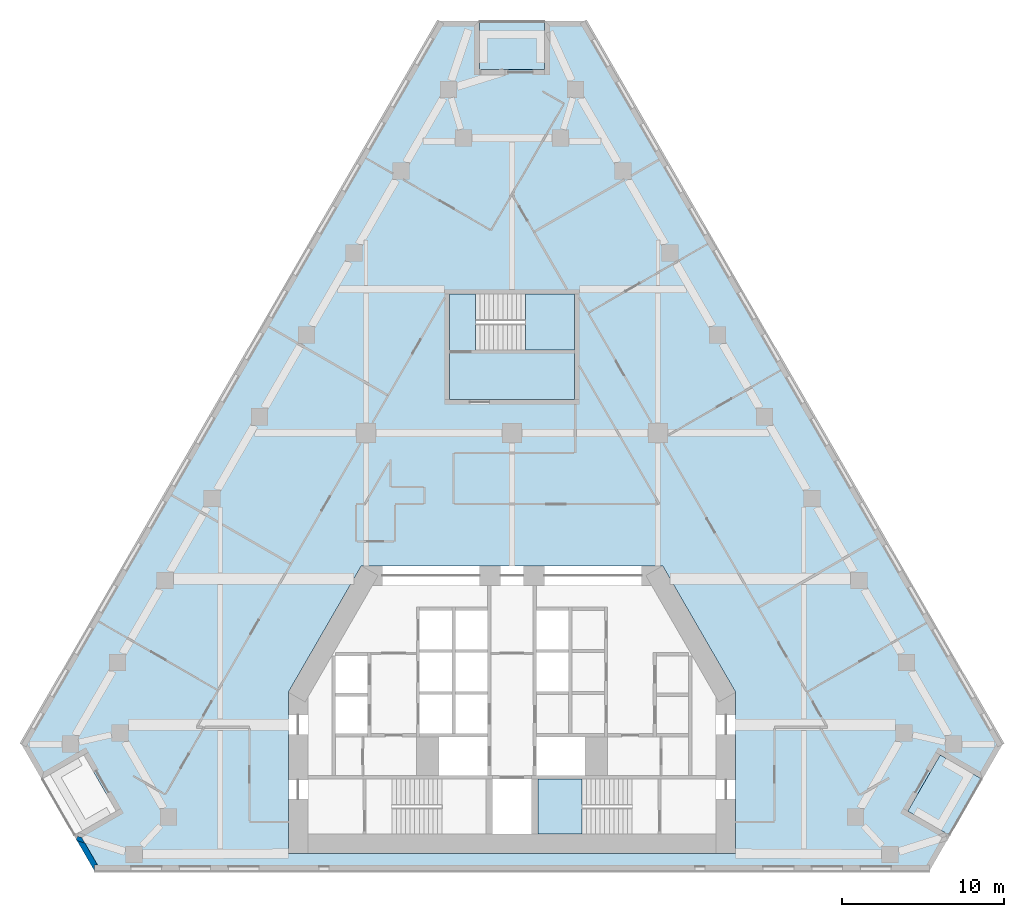
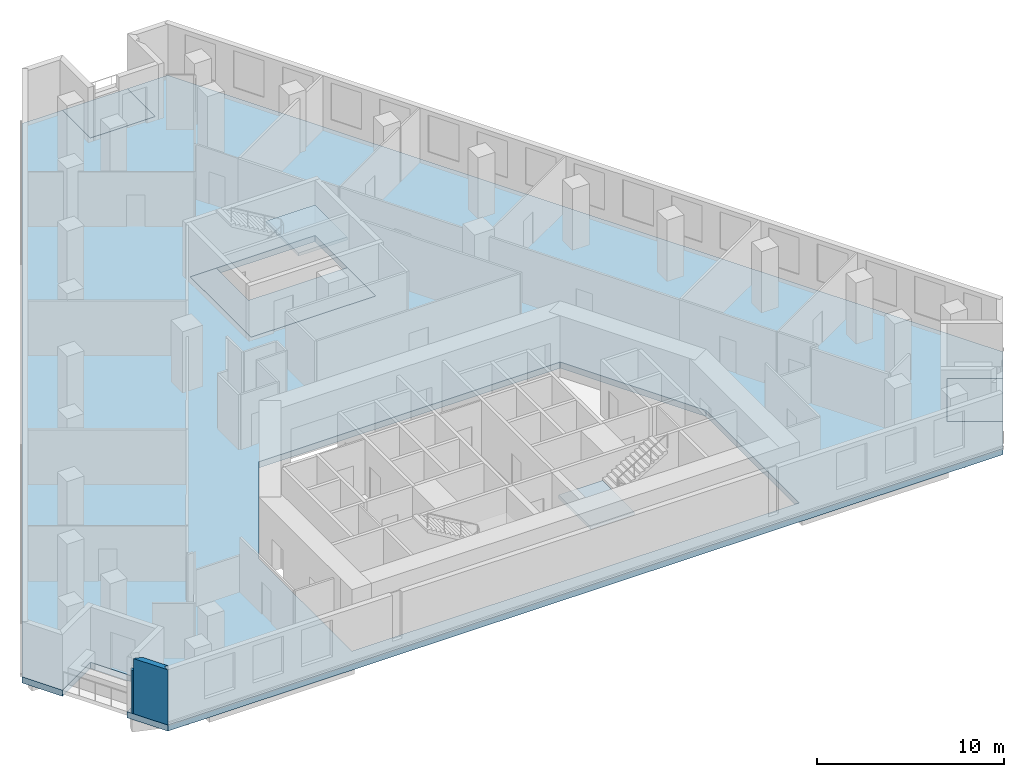
# One storey, part 2 of 10: 6 slabs, 2 walls, 2 elements without a shape of their own.
"""IFC4 building model written with IfcOpenShell, lengths in metres."""

from ifc_helpers import new_model, si_unit, direction, frame, origin, place, context, subcontext, project, spatial, polyline, outline, extrude, material, layer, layer_set, type_object, element, aggregate, save


model = new_model("IFC4")

# Units and contexts
model_context = context("Model", 3, precision=1e-05, world=origin(), true_north=direction((0.0, 1.0)))
body_context = subcontext(model_context, "Body", "Model", "MODEL_VIEW")
ifc_project = project(units=[si_unit("LENGTHUNIT", "METRE"), si_unit("AREAUNIT", "SQUARE_METRE"), si_unit("VOLUMEUNIT", "CUBIC_METRE"), si_unit("PLANEANGLEUNIT", "RADIAN"), si_unit("MASSUNIT", "GRAM", prefix="KILO")], contexts=[model_context])

# Site, building, storey
site_placement = place(None, origin())
site = spatial("IfcSite", under=ifc_project, at=site_placement, CompositionType="ELEMENT")
building_placement = place(site_placement, origin())
building = spatial("IfcBuilding", under=site, at=building_placement, Name="Fogline Exchange Tower", CompositionType="ELEMENT")
storey_placement = place(building_placement, frame((0.0, 0.0, 112.10009765625)))
storey = spatial("IfcBuildingStorey", under=building, at=storey_placement, Name="L24", CompositionType="ELEMENT", Elevation=112.10009765625)

# Slabs
ifc_material_1 = material(Name="Concrete C40", Category="concrete")
ifc_layer_1 = layer(ifc_material_1, 0.25)
ifc_layer_set_1 = layer_set([ifc_layer_1], Name="DK1")
slab_type_1 = type_object("IfcSlabType", Name="DK1", PredefinedType="FLOOR", material=ifc_layer_set_1)
slab_1_placement = place(storey_placement, frame((0.0, 0.0, -0.25)))
element("IfcSlab", 1, at=slab_1_placement, inside=storey, type_object=slab_type_1, Name="Balcony L24 SE", PredefinedType="FLOOR", context=body_context, shape_type="SweptSolid", body=[
    extrude(outline(polyline([(27.015625, 2.1650390625), (29.015625, 5.629150390625), (26.41748046875, 7.129150390625), (24.41748046875, 3.6650390625), (27.015625, 2.1650390625)])), origin(), (0.0, 0.0, 1.0), 0.25),
])
slab_2_placement = place(storey_placement, frame((0.0, 0.0, -0.25)))
element("IfcSlab", 2, at=slab_2_placement, inside=storey, type_object=slab_type_1, Name="Balcony L24 N", PredefinedType="FLOOR", context=body_context, shape_type="SweptSolid", body=[
    extrude(outline(polyline([(2.0, 52.421630859375), (-2.0, 52.421630859375), (-2.0, 49.421630859375), (2.0, 49.421630859375), (2.0, 52.421630859375)])), origin(), (0.0, 0.0, 1.0), 0.25),
])
ifc_layer_2 = layer(ifc_material_1, 0.39990234375)
ifc_layer_set_2 = layer_set([ifc_layer_2], Name="S03")
slab_type_2 = type_object("IfcSlabType", Name="S03", PredefinedType="FLOOR", material=ifc_layer_set_2)
slab_3_placement = place(storey_placement, frame((0.0, 0.0, -0.400146484375)))
element("IfcSlab", 3, at=slab_3_placement, inside=storey, type_object=slab_type_2, Name="SLAB L24", PredefinedType="FLOOR", context=body_context, shape_type="SweptSolid", body=[
    extrude(outline(polyline([(-2.0, 52.421630859375), (-4.5, 52.421630859375), (-30.265625, 7.794189453125), (-29.015625, 5.629150390625), (-26.41748046875, 7.129150390625), (-24.41748046875, 3.6650390625), (-27.015625, 2.1650390625), (-25.765625, 0.0), (25.765625, 0.0), (27.015625, 2.1650390625), (24.41748046875, 3.6650390625), (26.41748046875, 7.129150390625), (29.015625, 5.629150390625), (30.265625, 7.794189453125), (4.5, 52.421630859375), (2.0, 52.421630859375), (2.0, 49.421630859375), (-2.0, 49.421630859375), (-2.0, 52.421630859375)]), holes=[polyline([(13.800048828125, 10.9990234375), (13.800048828125, 1.050048828125), (-13.800048828125, 1.050048828125), (-13.800048828125, 10.9990234375), (-9.296142578125, 18.800048828125), (9.296142578125, 18.800048828125), (13.800048828125, 10.9990234375)]), polyline([(3.85009765625, 35.556884765625), (3.85009765625, 29.056884765625), (-3.85009765625, 29.056884765625), (-3.85009765625, 35.556884765625), (3.85009765625, 35.556884765625)])]), origin(), (0.0, 0.0, 1.0), 0.400146484375),
])
slab_4_placement = place(storey_placement, frame((0.0, 0.0, -0.400146484375)))
element("IfcSlab", 4, at=slab_4_placement, inside=storey, type_object=slab_type_2, Name="Stair enclosure floor slab", PredefinedType="FLOOR", context=body_context, shape_type="SweptSolid", body=[
    extrude(outline(polyline([(3.85009765625, 29.056884765625), (-3.85009765625, 29.056884765625), (-3.85009765625, 35.556884765625), (-2.239990234375, 35.556884765625), (-2.239990234375, 32.10693359375), (3.85009765625, 32.10693359375), (3.85009765625, 29.056884765625)])), origin(), (0.0, 0.0, 1.0), 0.400146484375),
])

# Stair, slab
stair_type = type_object("IfcStairType", Name="STR24-1667", PredefinedType="HALF_TURN_STAIR", material=ifc_material_1)
stair_1_placement = place(storey_placement, origin())
stair_1 = element("IfcStair", 5, at=stair_1_placement, inside=storey, type_object=stair_type, Name="Stair ST2", PredefinedType="HALF_TURN_STAIR")
ifc_layer_3 = layer(ifc_material_1, 0.199951171875)
ifc_layer_set_3 = layer_set([ifc_layer_3], Name="SL200")
slab_type_3 = type_object("IfcSlabType", Name="SL200", PredefinedType="LANDING", material=ifc_layer_set_3)
slab_5_placement = place(storey_placement, frame((0.0, 0.0, 1.7998046875)))
slab_5 = element("IfcSlab", 6, at=slab_5_placement, type_object=slab_type_3, Name="ST2 landing 1", PredefinedType="LANDING", context=body_context, shape_type="SweptSolid", body=[
    extrude(outline(polyline([(1.60009765625, 2.25), (4.320068359375, 2.25), (4.320068359375, 5.64990234375), (1.60009765625, 5.64990234375), (1.60009765625, 2.25)])), origin(), (0.0, 0.0, 1.0), 0.2001953125),
])
aggregate(stair_1, [slab_5])

stair_2_placement = place(storey_placement, origin())
stair_2 = element("IfcStair", 7, at=stair_2_placement, inside=storey, type_object=stair_type, Name="Stair ST3", PredefinedType="HALF_TURN_STAIR")
slab_6_placement = place(storey_placement, frame((0.0, 0.0, 1.7998046875)))
slab_6 = element("IfcSlab", 8, at=slab_6_placement, type_object=slab_type_3, Name="ST3 landing 1", PredefinedType="LANDING", context=body_context, shape_type="SweptSolid", body=[
    extrude(outline(polyline([(0.830078125, 32.10693359375), (3.85009765625, 32.10693359375), (3.85009765625, 35.556884765625), (0.830078125, 35.556884765625), (0.830078125, 32.10693359375)])), origin(), (0.0, 0.0, 1.0), 0.2001953125),
])
aggregate(stair_2, [slab_6])

# Walls
ifc_material_2 = material(Name="Brick masonry", Category="masonry")
ifc_layer_4 = layer(ifc_material_2, 0.340087890625)
ifc_layer_set_4 = layer_set([ifc_layer_4], Name="FW1")
wall_type = type_object("IfcWallType", Name="FW1", PredefinedType="SOLIDWALL", material=ifc_layer_set_4)
wall_1_placement = place(storey_placement, origin())
element("IfcWall", 9, at=wall_1_placement, inside=storey, type_object=wall_type, Name="Brick wall L24 SW-c2", PredefinedType="SOLIDWALL", context=body_context, shape_type="SweptSolid", body=[
    extrude(outline(polyline([(-26.876708984375, 1.92333984375), (-26.817138671875, 2.112548828125), (-26.55078125, 2.041015625), (-26.34716796875, 1.6884765625), (-26.82861328125, 1.83984375), (-26.876708984375, 1.92333984375)])), origin(), (0.0, 0.0, 1.0), 2.7998046875),
])
wall_2_placement = place(storey_placement, origin())
element("IfcWall", 10, at=wall_2_placement, inside=storey, type_object=wall_type, Name="Brick wall L24 SW-c2", PredefinedType="SOLIDWALL", context=body_context, shape_type="SweptSolid", body=[
    extrude(outline(polyline([(-25.76513671875, 0.33935546875), (-25.76513671875, -0.0009765625), (-25.765625, -0.001220703125), (-26.82861328125, 1.83984375), (-26.34716796875, 1.6884765625), (-25.568359375, 0.33935546875), (-25.76513671875, 0.33935546875)])), origin(), (0.0, 0.0, 1.0), 3.599853515625),
])

save(model, "model.ifc")
